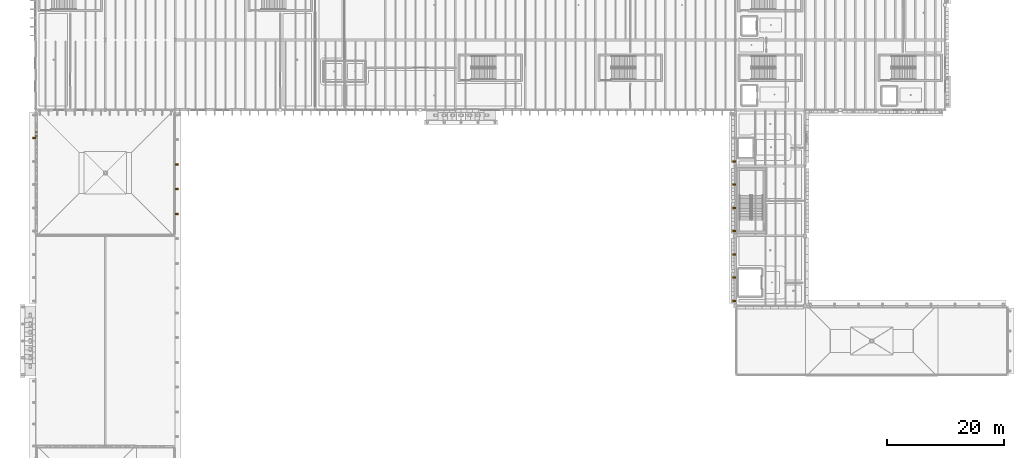
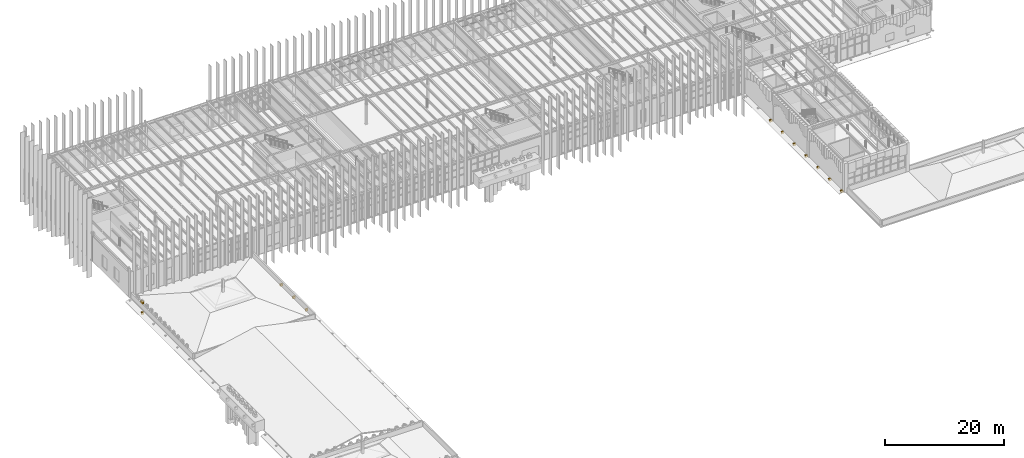
# One storey, part 81 of 83: 12 coverings.
"""IFC4 building model written with IfcOpenShell, lengths in metres."""

from ifc_helpers import new_model, si_unit, direction, frame, origin, place, context, subcontext, project, spatial, polyline, outline, extrude, material, layer, layer_set, type_object, element, save


model = new_model("IFC4")

# Units and contexts
model_context = context("Model", 3, precision=1e-05, world=origin(), true_north=direction((0.0, 1.0)))
body_context = subcontext(model_context, "Body", "Model", "MODEL_VIEW")
ifc_project = project(units=[si_unit("LENGTHUNIT", "METRE"), si_unit("AREAUNIT", "SQUARE_METRE"), si_unit("VOLUMEUNIT", "CUBIC_METRE"), si_unit("PLANEANGLEUNIT", "RADIAN"), si_unit("MASSUNIT", "GRAM", prefix="KILO")], contexts=[model_context])

# Site, building, storey
site_placement = place(None, origin())
site = spatial("IfcSite", under=ifc_project, at=site_placement, CompositionType="ELEMENT")
building_placement = place(site_placement, origin())
building = spatial("IfcBuilding", under=site, at=building_placement, Name="Zlatogorsky Bluff Art Gallery", CompositionType="ELEMENT")
storey_placement = place(building_placement, frame((0.0, 0.0, 10.800048828125)))
storey = spatial("IfcBuildingStorey", under=building, at=storey_placement, Name="L02", CompositionType="ELEMENT", Elevation=10.800048828125)

# Coverings
ifc_material = material(Name="Honed Red Agra-Tone Quartzitic Sandstone", Category="masonry")
ifc_layer = layer(ifc_material, 0.1201171875)
ifc_layer_set = layer_set([ifc_layer], Name="Carved Sandstone Cladding CLD-02")
covering_type = type_object("IfcCoveringType", Name="Carved Sandstone Cladding CLD-02", PredefinedType="CLADDING", material=ifc_layer_set)
covering_1_placement = place(storey_placement, frame((0.0, 0.0, -0.60009765625)))
element("IfcCovering", 1, at=covering_1_placement, inside=storey, type_object=covering_type, Name="Chhajja carved stone corbel CHJ-LINK-W-L02.1", PredefinedType="CLADDING", context=body_context, shape_type="SweptSolid", body=[
    extrude(outline(polyline([(119.5400390625, 51.110107421875), (119.5400390625, 51.389892578125), (120.0400390625, 51.389892578125), (120.0400390625, 51.110107421875), (119.5400390625, 51.110107421875)])), origin(), (0.0, 0.0, 1.0), 0.47998046875),
])
covering_2_placement = place(storey_placement, frame((0.0, 0.0, -0.60009765625)))
element("IfcCovering", 2, at=covering_2_placement, inside=storey, type_object=covering_type, Name="Chhajja carved stone corbel CHJ-LINK-W-L02.2", PredefinedType="CLADDING", context=body_context, shape_type="SweptSolid", body=[
    extrude(outline(polyline([(119.5400390625, 55.097412109375), (119.5400390625, 55.37744140625), (120.0400390625, 55.37744140625), (120.0400390625, 55.097412109375), (119.5400390625, 55.097412109375)])), origin(), (0.0, 0.0, 1.0), 0.47998046875),
])
covering_3_placement = place(storey_placement, frame((0.0, 0.0, -0.60009765625)))
element("IfcCovering", 3, at=covering_3_placement, inside=storey, type_object=covering_type, Name="Chhajja carved stone corbel CHJ-LINK-W-L02.3", PredefinedType="CLADDING", context=body_context, shape_type="SweptSolid", body=[
    extrude(outline(polyline([(119.5400390625, 59.0849609375), (119.5400390625, 59.364990234375), (120.0400390625, 59.364990234375), (120.0400390625, 59.0849609375), (119.5400390625, 59.0849609375)])), origin(), (0.0, 0.0, 1.0), 0.47998046875),
])
covering_4_placement = place(storey_placement, frame((0.0, 0.0, -0.60009765625)))
element("IfcCovering", 4, at=covering_4_placement, inside=storey, type_object=covering_type, Name="Chhajja carved stone corbel CHJ-LINK-W-L02.4", PredefinedType="CLADDING", context=body_context, shape_type="SweptSolid", body=[
    extrude(outline(polyline([(119.5400390625, 63.072509765625), (119.5400390625, 63.3525390625), (120.0400390625, 63.3525390625), (120.0400390625, 63.072509765625), (119.5400390625, 63.072509765625)])), origin(), (0.0, 0.0, 1.0), 0.47998046875),
])
covering_5_placement = place(storey_placement, frame((0.0, 0.0, -0.60009765625)))
element("IfcCovering", 5, at=covering_5_placement, inside=storey, type_object=covering_type, Name="Chhajja carved stone corbel CHJ-LINK-W-L02.5", PredefinedType="CLADDING", context=body_context, shape_type="SweptSolid", body=[
    extrude(outline(polyline([(119.5400390625, 67.06005859375), (119.5400390625, 67.340087890625), (120.0400390625, 67.340087890625), (120.0400390625, 67.06005859375), (119.5400390625, 67.06005859375)])), origin(), (0.0, 0.0, 1.0), 0.47998046875),
])
covering_6_placement = place(storey_placement, frame((0.0, 0.0, -0.60009765625)))
element("IfcCovering", 6, at=covering_6_placement, inside=storey, type_object=covering_type, Name="Chhajja carved stone corbel CHJ-LINK-W-L02.6", PredefinedType="CLADDING", context=body_context, shape_type="SweptSolid", body=[
    extrude(outline(polyline([(119.5400390625, 71.047607421875), (119.5400390625, 71.327392578125), (120.0400390625, 71.327392578125), (120.0400390625, 71.047607421875), (119.5400390625, 71.047607421875)])), origin(), (0.0, 0.0, 1.0), 0.47998046875),
])
covering_7_placement = place(storey_placement, frame((0.0, 0.0, -0.60009765625)))
element("IfcCovering", 7, at=covering_7_placement, inside=storey, type_object=covering_type, Name="Chhajja carved stone corbel CHJ-LINK-W-L02.7", PredefinedType="CLADDING", context=body_context, shape_type="SweptSolid", body=[
    extrude(outline(polyline([(119.5400390625, 75.034912109375), (119.5400390625, 75.31494140625), (120.0400390625, 75.31494140625), (120.0400390625, 75.034912109375), (119.5400390625, 75.034912109375)])), origin(), (0.0, 0.0, 1.0), 0.47998046875),
])
covering_8_placement = place(storey_placement, frame((0.0, 0.0, -0.60009765625)))
element("IfcCovering", 8, at=covering_8_placement, inside=storey, type_object=covering_type, Name="Chhajja carved stone corbel CHJ-SW-E-L02.13", PredefinedType="CLADDING", context=body_context, shape_type="SweptSolid", body=[
    extrude(outline(polyline([(23.9599609375, 66.034912109375), (23.9599609375, 66.31494140625), (24.4599609375, 66.31494140625), (24.4599609375, 66.034912109375), (23.9599609375, 66.034912109375)])), origin(), (0.0, 0.0, 1.0), 0.47998046875),
])
covering_9_placement = place(storey_placement, frame((0.0, 0.0, -0.60009765625)))
element("IfcCovering", 9, at=covering_9_placement, inside=storey, type_object=covering_type, Name="Chhajja carved stone corbel CHJ-SW-E-L02.14", PredefinedType="CLADDING", context=body_context, shape_type="SweptSolid", body=[
    extrude(outline(polyline([(23.9599609375, 70.27880859375), (23.9599609375, 70.55859375), (24.4599609375, 70.55859375), (24.4599609375, 70.27880859375), (23.9599609375, 70.27880859375)])), origin(), (0.0, 0.0, 1.0), 0.47998046875),
])
covering_10_placement = place(storey_placement, frame((0.0, 0.0, -0.60009765625)))
element("IfcCovering", 10, at=covering_10_placement, inside=storey, type_object=covering_type, Name="Chhajja carved stone corbel CHJ-SW-E-L02.15", PredefinedType="CLADDING", context=body_context, shape_type="SweptSolid", body=[
    extrude(outline(polyline([(23.9599609375, 74.5224609375), (23.9599609375, 74.802490234375), (24.4599609375, 74.802490234375), (24.4599609375, 74.5224609375), (23.9599609375, 74.5224609375)])), origin(), (0.0, 0.0, 1.0), 0.47998046875),
])
covering_11_placement = place(storey_placement, frame((0.0, 0.0, -0.60009765625)))
element("IfcCovering", 11, at=covering_11_placement, inside=storey, type_object=covering_type, Name="Chhajja carved stone corbel CHJ-SW-W-L02B.8", PredefinedType="CLADDING", context=body_context, shape_type="SweptSolid", body=[
    extrude(outline(polyline([(-0.4599609375, 79.0224609375), (-0.4599609375, 79.302490234375), (0.0400390625, 79.302490234375), (0.0400390625, 79.0224609375), (-0.4599609375, 79.0224609375)])), origin(), (0.0, 0.0, 1.0), 0.47998046875),
])
covering_12_placement = place(storey_placement, frame((0.0, 0.0, 1.119873046875)))
element("IfcCovering", 12, at=covering_12_placement, inside=storey, type_object=covering_type, Name="Kangura stepped merlon base PAR-RF-L02-03-4.11", PredefinedType="CLADDING", context=body_context, shape_type="SweptSolid", body=[
    extrude(outline(polyline([(0.02001953125, 79.469970703125), (0.02001953125, 80.22998046875), (0.300048828125, 80.22998046875), (0.300048828125, 79.469970703125), (0.02001953125, 79.469970703125)])), origin(), (0.0, 0.0, 1.0), 0.3896484375),
])

save(model, "model.ifc")
